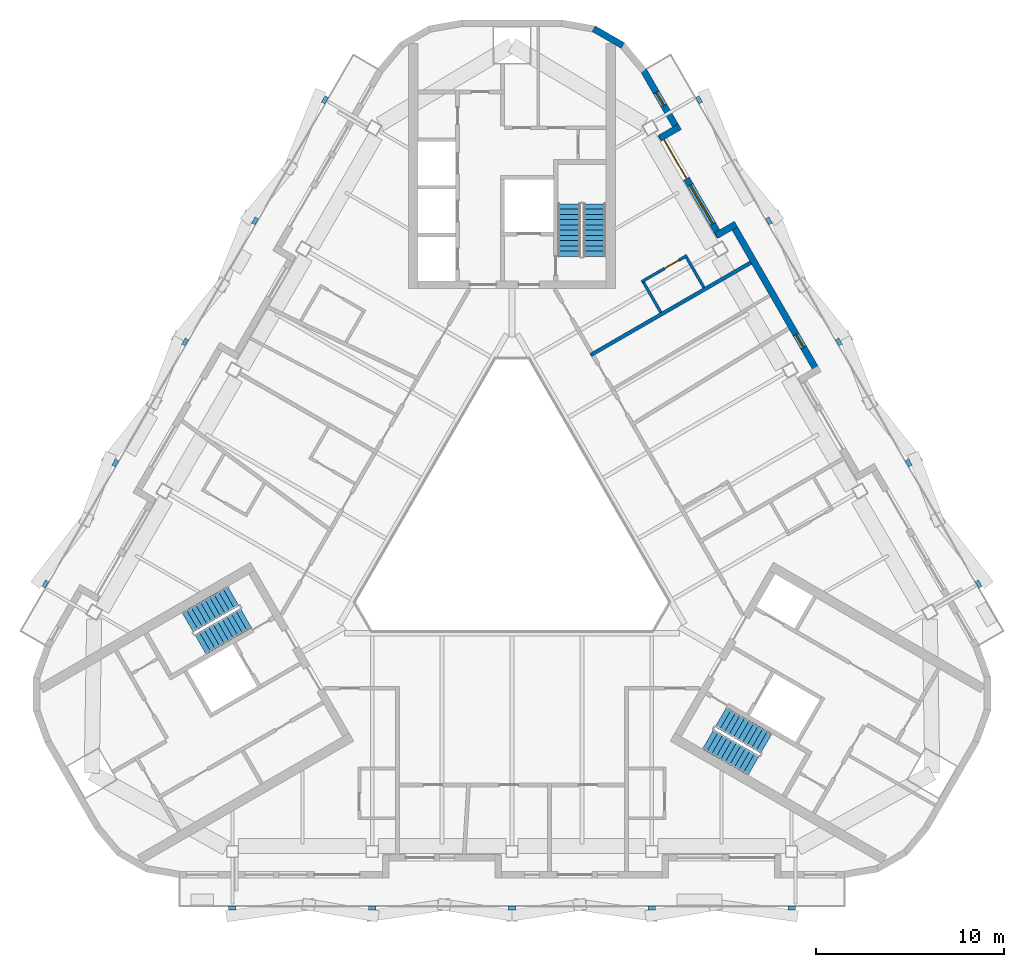
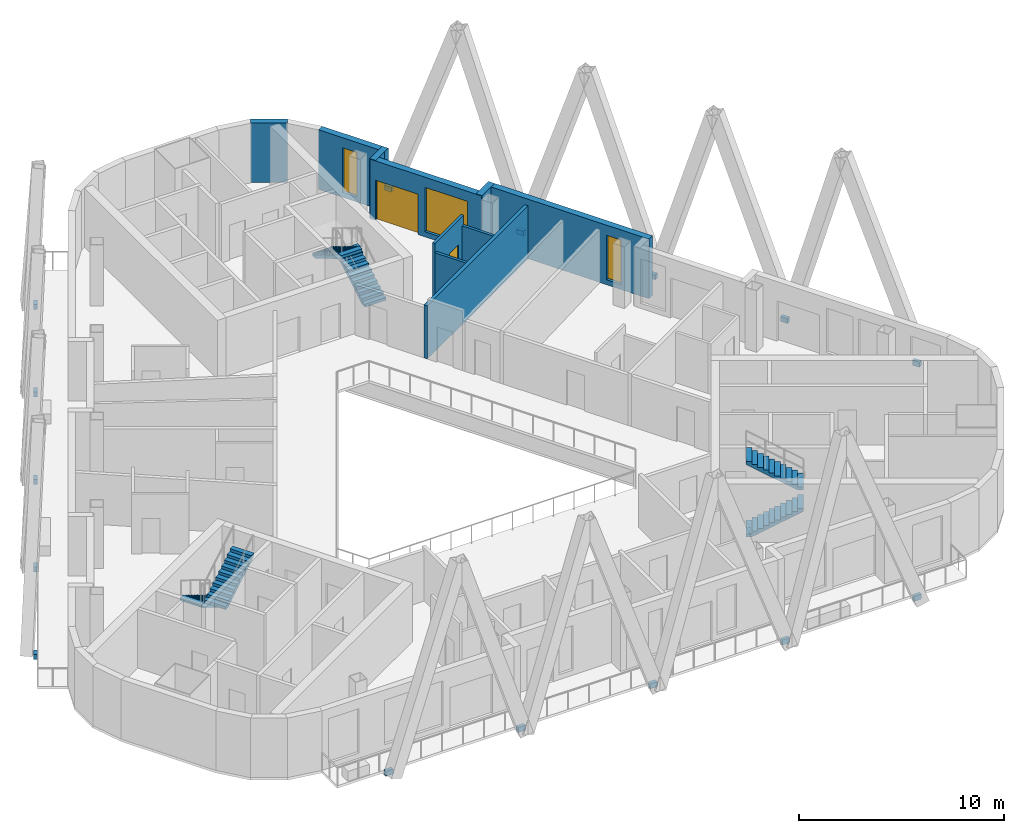
# One storey, part 8 of 14: 15 discrete accessories, 10 walls, 6 stair flights, 3 windows, 2 doors, 5 openings, 3 elements without a shape of their own.
"""IFC4 building model written with IfcOpenShell, lengths in metres."""

from ifc_helpers import new_model, si_unit, direction, frame, frame_2d, origin, origin_2d, place, context, subcontext, project, spatial, polyline, rectangle, outline, extrude, material, layer, layer_set, type_object, element, fill, aggregate, save


model = new_model("IFC4")

# Units and contexts
model_context = context("Model", 3, precision=1e-05, world=origin(), true_north=direction((0.0, 1.0)))
body_context = subcontext(model_context, "Body", "Model", "MODEL_VIEW")
ifc_project = project(units=[si_unit("LENGTHUNIT", "METRE"), si_unit("AREAUNIT", "SQUARE_METRE"), si_unit("VOLUMEUNIT", "CUBIC_METRE"), si_unit("PLANEANGLEUNIT", "RADIAN"), si_unit("MASSUNIT", "GRAM", prefix="KILO")], contexts=[model_context])

# Site, building, storey
site_placement = place(None, origin())
site = spatial("IfcSite", under=ifc_project, at=site_placement, CompositionType="ELEMENT")
building_placement = place(site_placement, origin())
building = spatial("IfcBuilding", under=site, at=building_placement, Name="Apuvela Tower Hotel", CompositionType="ELEMENT")
storey_placement = place(building_placement, frame((0.0, 0.0, 268.89990234375)))
storey = spatial("IfcBuildingStorey", under=building, at=storey_placement, Name="L66", CompositionType="ELEMENT", Elevation=268.89990234375)

# Wall, opening, window
ifc_material_1 = material(Name="Concrete C40/50, dark pigmented precast panel", Category="concrete")
ifc_layer_1 = layer(ifc_material_1, 0.35009765625)
ifc_layer_set_1 = layer_set([ifc_layer_1], Name="ENV-WALL-350")
wall_type_1 = type_object("IfcWallType", Name="ENV-WALL-350", PredefinedType="SOLIDWALL", material=ifc_layer_set_1)
wall_1_placement = place(storey_placement, frame((16.31640625, 8.381103515625, 0.0), z_axis=(0.0, 0.0, 1.0), x_axis=(-0.500005190411, 0.866022407078, 0.0)))
wall_1 = element("IfcWall", 1, at=wall_1_placement, inside=storey, type_object=wall_type_1, Name="External wall L66-37", PredefinedType="SOLIDWALL", context=body_context, shape_type="SweptSolid", body=[
    extrude(rectangle(XDim=9.24365234375, YDim=0.35009765625, at=frame_2d((4.621826171875, 0.0))), origin(), (0.0, 0.0, 1.0), 3.550048828125),
])
opening_1_placement = place(wall_1_placement, frame((1.5751953125, 0.0, 0.300048828125)))
opening_1 = element("IfcOpeningElement", 2, at=opening_1_placement, cuts=wall_1, Name="Opening WN08", PredefinedType="OPENING", context=body_context, shape_type="SweptSolid", body=[
    extrude(rectangle(XDim=0.800048828125, YDim=2.64990234375, at=frame_2d((0.39990234375, 1.324951171875))), frame((0.0, 0.18505859375, 0.0), z_axis=(0.0, -1.0, 0.0), x_axis=(1.0, 0.0, 0.0)), (0.0, 0.0, 1.0), 0.3701171875),
])
ifc_material_2 = material(Name="Glass, dark tinted laminated insulated glazing unit", Category="glass")
window_type_1 = type_object("IfcWindowType", Name="ENV-WIN-800x2650", PartitioningType="SINGLE_PANEL", PredefinedType="WINDOW", material=ifc_material_2)
window_1_placement = place(opening_1_placement, origin())
window_1 = element("IfcWindow", 3, at=window_1_placement, inside=storey, type_object=window_type_1, Name="Window WN08", OverallHeight=2.64990234375, OverallWidth=0.800048828125, PartitioningType="SINGLE_PANEL", PredefinedType="WINDOW", context=body_context, shape_type="SweptSolid", body=[
    extrude(rectangle(XDim=0.800048828125, YDim=2.64990234375, at=frame_2d((0.39990234375, 1.324951171875))), frame((0.0, 0.030029296875, 0.0), z_axis=(0.0, -1.0, 0.0), x_axis=(1.0, 0.0, 0.0)), (0.0, 0.0, 1.0), 0.06005859375),
])
fill(opening_1, window_1)

# Wall
wall_2_placement = place(storey_placement, frame((11.93359375, 16.322265625, 0.0), z_axis=(0.0, 0.0, 1.0), x_axis=(-0.866005645448, -0.500034220881, 0.0)))
element("IfcWall", 4, at=wall_2_placement, inside=storey, type_object=wall_type_1, Name="External wall L66-38", PredefinedType="SOLIDWALL", context=body_context, shape_type="SweptSolid", body=[
    extrude(rectangle(XDim=1.22021484375, YDim=0.35009765625, at=frame_2d((0.610107421875, 0.0))), origin(), (0.0, 0.0, 1.0), 3.550048828125),
])

# Wall, openings, door, window
wall_3_placement = place(storey_placement, frame((11.074951171875, 15.6591796875, 0.0), z_axis=(0.0, 0.0, 1.0), x_axis=(-0.499983676521, 0.866034827944, 0.0)))
wall_3 = element("IfcWall", 5, at=wall_3_placement, inside=storey, type_object=wall_type_1, Name="External wall L66-39", PredefinedType="SOLIDWALL", context=body_context, shape_type="SweptSolid", body=[
    extrude(rectangle(XDim=6.283447265625, YDim=0.35009765625, at=frame_2d((3.1416015625, 0.0))), origin(), (0.0, 0.0, 1.0), 3.550048828125),
])
opening_2_placement = place(wall_3_placement, frame((3.5634765625, 0.0, 0.0)))
opening_2 = element("IfcOpeningElement", 6, at=opening_2_placement, cuts=wall_3, Name="Opening BD24", PredefinedType="OPENING", context=body_context, shape_type="SweptSolid", body=[
    extrude(rectangle(XDim=2.39990234375, YDim=2.39990234375, at=frame_2d((1.199951171875, 1.199951171875))), frame((0.0, 0.18505859375, 0.0), z_axis=(0.0, -1.0, 0.0), x_axis=(1.0, 0.0, 0.0)), (0.0, 0.0, 1.0), 0.3701171875),
])
opening_3_placement = place(wall_3_placement, frame((0.77001953125, 0.0, 0.300048828125)))
opening_3 = element("IfcOpeningElement", 7, at=opening_3_placement, cuts=wall_3, Name="Opening WN24", PredefinedType="OPENING", context=body_context, shape_type="SweptSolid", body=[
    extrude(rectangle(XDim=2.39990234375, YDim=2.64990234375, at=frame_2d((1.199951171875, 1.324951171875))), frame((0.0, 0.18505859375, 0.0), z_axis=(0.0, -1.0, 0.0), x_axis=(1.0, 0.0, 0.0)), (0.0, 0.0, 1.0), 0.3701171875),
])
ifc_material_3 = material(Name="Aluminium 6063-T6, dark bronze anodised frame with dark tinted laminated glass", Category="aluminium")
door_type_1 = type_object("IfcDoorType", Name="ENV-DOOR-BALCONY-2400x2400", OperationType="SLIDING_TO_LEFT", PredefinedType="DOOR", material=ifc_material_3)
door_1_placement = place(opening_2_placement, frame((2.39990234375, 0.0, 0.0), z_axis=(0.0, 0.0, 1.0), x_axis=(-1.0, 0.0, 0.0)))
door_1 = element("IfcDoor", 8, at=door_1_placement, inside=storey, type_object=door_type_1, Name="Balcony door BD24", OperationType="SLIDING_TO_LEFT", OverallHeight=2.39990234375, OverallWidth=2.39990234375, PredefinedType="DOOR", context=body_context, shape_type="SweptSolid", body=[
    extrude(rectangle(XDim=2.39990234375, YDim=2.39990234375, at=frame_2d((1.199951171875, 1.199951171875))), frame((0.0, 0.02490234375, 0.0), z_axis=(0.0, -1.0, 0.0), x_axis=(1.0, 0.0, 0.0)), (0.0, 0.0, 1.0), 0.050048828125),
])
fill(opening_2, door_1)
window_type_2 = type_object("IfcWindowType", Name="ENV-WIN-2400x2650", PartitioningType="SINGLE_PANEL", PredefinedType="WINDOW", material=ifc_material_2)
window_2_placement = place(opening_3_placement, origin())
window_2 = element("IfcWindow", 9, at=window_2_placement, inside=storey, type_object=window_type_2, Name="Window WN24", OverallHeight=2.64990234375, OverallWidth=2.39990234375, PartitioningType="SINGLE_PANEL", PredefinedType="WINDOW", context=body_context, shape_type="SweptSolid", body=[
    extrude(rectangle(XDim=2.39990234375, YDim=2.64990234375, at=frame_2d((1.199951171875, 1.324951171875))), frame((0.0, 0.030029296875, 0.0), z_axis=(0.0, -1.0, 0.0), x_axis=(1.0, 0.0, 0.0)), (0.0, 0.0, 1.0), 0.06005859375),
])
fill(opening_3, window_2)

# Wall
wall_4_placement = place(storey_placement, frame((7.880126953125, 20.902587890625, 0.0), z_axis=(0.0, 0.0, 1.0), x_axis=(0.866005645448, 0.500034220881, 0.0)))
element("IfcWall", 10, at=wall_4_placement, inside=storey, type_object=wall_type_1, Name="External wall L66-40", PredefinedType="SOLIDWALL", context=body_context, shape_type="SweptSolid", body=[
    extrude(rectangle(XDim=1.22021484375, YDim=0.35009765625, at=frame_2d((0.610107421875, 0.0))), origin(), (0.0, 0.0, 1.0), 3.550048828125),
])

# Wall, opening, window
wall_5_placement = place(storey_placement, frame((8.872802734375, 21.273681640625, 0.0), z_axis=(0.0, 0.0, 1.0), x_axis=(-0.50001992892, 0.866013897511, 0.0)))
wall_5 = element("IfcWall", 11, at=wall_5_placement, inside=storey, type_object=wall_type_1, Name="External wall L66-41", PredefinedType="SOLIDWALL", context=body_context, shape_type="SweptSolid", body=[
    extrude(rectangle(XDim=3.741455078125, YDim=0.35009765625, at=frame_2d((1.87060546875, 0.0))), origin(), (0.0, 0.0, 1.0), 3.550048828125),
])
opening_4_placement = place(wall_5_placement, frame((1.5751953125, 0.0, 0.300048828125)))
opening_4 = element("IfcOpeningElement", 12, at=opening_4_placement, cuts=wall_5, Name="Opening WN08", PredefinedType="OPENING", context=body_context, shape_type="SweptSolid", body=[
    extrude(rectangle(XDim=0.800048828125, YDim=2.64990234375, at=frame_2d((0.39990234375, 1.324951171875))), frame((0.0, 0.18505859375, 0.0), z_axis=(0.0, -1.0, 0.0), x_axis=(1.0, 0.0, 0.0)), (0.0, 0.0, 1.0), 0.3701171875),
])
window_3_placement = place(opening_4_placement, origin())
window_3 = element("IfcWindow", 13, at=window_3_placement, inside=storey, type_object=window_type_1, Name="Window WN08", OverallHeight=2.64990234375, OverallWidth=0.800048828125, PartitioningType="SINGLE_PANEL", PredefinedType="WINDOW", context=body_context, shape_type="SweptSolid", body=[
    extrude(rectangle(XDim=0.800048828125, YDim=2.64990234375, at=frame_2d((0.39990234375, 1.324951171875))), frame((0.0, 0.030029296875, 0.0), z_axis=(0.0, -1.0, 0.0), x_axis=(1.0, 0.0, 0.0)), (0.0, 0.0, 1.0), 0.06005859375),
])
fill(opening_4, window_3)

# Walls
wall_6_placement = place(storey_placement, frame((5.9091796875, 25.82861328125, 0.0), z_axis=(0.0, 0.0, 1.0), x_axis=(-0.866013897511, 0.50001992892, 0.0)))
element("IfcWall", 14, at=wall_6_placement, inside=storey, type_object=wall_type_1, Name="External wall L66-43", PredefinedType="SOLIDWALL", context=body_context, shape_type="SweptSolid", body=[
    extrude(rectangle(XDim=1.7998046875, YDim=0.35009765625, at=frame_2d((0.89990234375, 0.0))), origin(), (0.0, 0.0, 1.0), 3.550048828125),
])
ifc_material_4 = material(Name="Gypsum board partition on twin steel stud", Category="steel")
ifc_layer_2 = layer(ifc_material_4, 0.199951171875)
ifc_layer_set_2 = layer_set([ifc_layer_2], Name="GST-PW1")
wall_type_2 = type_object("IfcWallType", Name="GST-PW1", PredefinedType="PARTITIONING", material=ifc_layer_set_2)
wall_7_placement = place(storey_placement, frame((12.714599609375, 14.26904296875, 0.0), z_axis=(0.0, 0.0, 1.0), x_axis=(-0.866024954444, -0.500000778279, 0.0)))
element("IfcWall", 15, at=wall_7_placement, inside=storey, type_object=wall_type_2, Name="L66 partition 07", PredefinedType="PARTITIONING", context=body_context, shape_type="SweptSolid", body=[
    extrude(rectangle(XDim=9.845703125, YDim=0.199951171875, at=frame_2d((4.9228515625, 0.0))), origin(), (0.0, 0.0, 1.0), 3.16015625),
])

# Wall, opening, door
ifc_material_5 = material(Name="Moisture-resistant gypsum board wet wall on steel stud", Category="steel")
ifc_layer_3 = layer(ifc_material_5, 0.14990234375)
ifc_layer_set_3 = layer_set([ifc_layer_3], Name="GST-PW3")
wall_type_3 = type_object("IfcWallType", Name="GST-PW3", PredefinedType="PARTITIONING", material=ifc_layer_set_3)
wall_8_placement = place(storey_placement, frame((9.32421875, 14.64990234375, 0.0), z_axis=(0.0, 0.0, 1.0), x_axis=(-0.866034573852, -0.49998411664, 0.0)))
wall_8 = element("IfcWall", 16, at=wall_8_placement, inside=storey, type_object=wall_type_3, Name="L66 partition 33", PredefinedType="PARTITIONING", context=body_context, shape_type="SweptSolid", body=[
    extrude(rectangle(XDim=2.7998046875, YDim=0.14990234375, at=frame_2d((1.39990234375, 0.0))), origin(), (0.0, 0.0, 1.0), 3.550048828125),
])
opening_5_placement = place(wall_8_placement, frame((0.5, 0.0, 0.0)))
opening_5 = element("IfcOpeningElement", 17, at=opening_5_placement, cuts=wall_8, Name="Opening GD26-14", PredefinedType="OPENING", context=body_context, shape_type="SweptSolid", body=[
    extrude(rectangle(XDim=0.89990234375, YDim=2.10009765625, at=frame_2d((0.449951171875, 1.050048828125))), frame((0.0, 0.0849609375, 0.0), z_axis=(0.0, -1.0, 0.0), x_axis=(1.0, 0.0, 0.0)), (0.0, 0.0, 1.0), 0.169921875),
])
ifc_material_6 = material(Name="Timber door leaf in steel frame", Category="steel")
door_type_2 = type_object("IfcDoorType", Name="GST-D2", OperationType="NOTDEFINED", PredefinedType="DOOR", material=ifc_material_6)
door_2_placement = place(opening_5_placement, origin())
door_2 = element("IfcDoor", 18, at=door_2_placement, inside=storey, type_object=door_type_2, Name="Door L66-14", OperationType="SINGLE_SWING_LEFT", OverallHeight=2.10009765625, OverallWidth=0.89990234375, PredefinedType="DOOR", context=body_context, shape_type="SweptSolid", body=[
    extrude(rectangle(XDim=0.89990234375, YDim=2.10009765625, at=frame_2d((0.449951171875, 1.050048828125))), frame((0.0, 0.02490234375, 0.0), z_axis=(0.0, -1.0, 0.0), x_axis=(1.0, 0.0, 0.0)), (0.0, 0.0, 1.0), 0.050048828125),
])
fill(opening_5, door_2)

# Walls
for number, where, z_axis, x_axis, name in (
    (19, (10.2216796875, 12.9453125, 0.0), (0.0, 0.0, 1.0), (-0.49994333299, 0.866058118026, 0.0), "L66 partition 34"),
    (20, (7.927001953125, 11.620361328125, 0.0), (0.0, 0.0, 1.0), (-0.500042316284, 0.866000971088, 0.0), "L66 partition 35"),
):
    element("IfcWall", number, at=place(storey_placement, frame(where, z_axis=z_axis, x_axis=x_axis)), inside=storey, type_object=wall_type_3, Name=name, PredefinedType="PARTITIONING", context=body_context, shape_type="SweptSolid", body=[
        extrude(rectangle(XDim=1.849853515625, YDim=0.14990234375, at=frame_2d((0.9248046875, 0.0))), origin(), (0.0, 0.0, 1.0), 3.0),
    ])

# Stair, stair flights
ifc_material_7 = material(Name="Concrete C50/60", Category="concrete")
stair_type = type_object("IfcStairType", Name="COR-STAIR-22R", PredefinedType="HALF_TURN_STAIR", material=ifc_material_7)
stair_1_placement = place(storey_placement, origin())
stair_1 = element("IfcStair", 21, at=stair_1_placement, inside=storey, type_object=stair_type, Name="L66 Exit stair ST1", PredefinedType="HALF_TURN_STAIR")
stair_flight_type = type_object("IfcStairFlightType", Name="COR-FLIGHT-11R", PredefinedType="STRAIGHT", material=ifc_material_7)
stair_flight_1_placement = place(storey_placement, frame((4.39990234375, 14.60009765625, 0.0), z_axis=(0.0, 0.0, 1.0), x_axis=(0.0, 1.0, 0.0)))
stair_flight_1 = element("IfcStairFlight", 22, at=stair_flight_1_placement, type_object=stair_flight_type, Name="ST1 flight 1", NumberOfRisers=11, NumberOfTreads=10, PredefinedType="STRAIGHT", RiserHeight=0.168181818, TreadLength=0.28, context=body_context, shape_type="SweptSolid", body=[
    extrude(outline(polyline([(0.0, 0.0), (0.0, 0.168212890625), (0.280029296875, 0.168212890625), (0.280029296875, 0.33642578125), (0.56005859375, 0.33642578125), (0.56005859375, 0.504638671875), (0.840087890625, 0.504638671875), (0.840087890625, 0.672607421875), (1.1201171875, 0.672607421875), (1.1201171875, 0.8408203125), (1.39990234375, 0.8408203125), (1.39990234375, 1.009033203125), (1.679931640625, 1.009033203125), (1.679931640625, 1.17724609375), (1.9599609375, 1.17724609375), (1.9599609375, 1.345458984375), (2.239990234375, 1.345458984375), (2.239990234375, 1.513671875), (2.52001953125, 1.513671875), (2.52001953125, 1.681884765625), (2.800048828125, 1.681884765625), (2.800048828125, 1.85009765625), (2.800048828125, 1.5068359375), (0.291015625, 0.0), (0.0, 0.0)])), frame((0.0, 0.60009765625, 0.0), z_axis=(0.0, -1.0, 0.0), x_axis=(1.0, 0.0, 0.0)), (0.0, 0.0, 1.0), 1.199951171875),
])
stair_flight_2_placement = place(storey_placement, frame((3.050048828125, 17.39990234375, 1.85009765625), z_axis=(0.0, 0.0, 1.0), x_axis=(0.0, -1.0, 0.0)))
stair_flight_2 = element("IfcStairFlight", 23, at=stair_flight_2_placement, type_object=stair_flight_type, Name="ST1 flight 2", NumberOfRisers=11, NumberOfTreads=10, PredefinedType="STRAIGHT", RiserHeight=0.168181818, TreadLength=0.28, context=body_context, shape_type="SweptSolid", body=[
    extrude(outline(polyline([(0.0, 0.0), (0.0, 0.168212890625), (0.280029296875, 0.168212890625), (0.280029296875, 0.33642578125), (0.56005859375, 0.33642578125), (0.56005859375, 0.504638671875), (0.840087890625, 0.504638671875), (0.840087890625, 0.672607421875), (1.1201171875, 0.672607421875), (1.1201171875, 0.8408203125), (1.39990234375, 0.8408203125), (1.39990234375, 1.009033203125), (1.679931640625, 1.009033203125), (1.679931640625, 1.17724609375), (1.9599609375, 1.17724609375), (1.9599609375, 1.345458984375), (2.239990234375, 1.345458984375), (2.239990234375, 1.513671875), (2.52001953125, 1.513671875), (2.52001953125, 1.681884765625), (2.800048828125, 1.681884765625), (2.800048828125, 1.85009765625), (2.800048828125, 1.5068359375), (0.291015625, 0.0), (0.0, 0.0)])), frame((0.0, 0.60009765625, 0.0), z_axis=(0.0, -1.0, 0.0), x_axis=(1.0, 0.0, 0.0)), (0.0, 0.0, 1.0), 1.199951171875),
])
aggregate(stair_1, [stair_flight_1, stair_flight_2])

stair_2_placement = place(storey_placement, origin())
stair_2 = element("IfcStair", 24, at=stair_2_placement, inside=storey, type_object=stair_type, Name="L66 Exit stair ST2", PredefinedType="HALF_TURN_STAIR")
stair_flight_3_placement = place(storey_placement, frame((-14.843994140625, -3.489501953125, 0.0), z_axis=(0.0, 0.0, 1.0), x_axis=(-0.866025403784, -0.5, 0.0)))
stair_flight_3 = element("IfcStairFlight", 25, at=stair_flight_3_placement, type_object=stair_flight_type, Name="ST2 flight 1", NumberOfRisers=11, NumberOfTreads=10, PredefinedType="STRAIGHT", RiserHeight=0.168181818, TreadLength=0.28, context=body_context, shape_type="SweptSolid", body=[
    extrude(outline(polyline([(0.0, 0.0), (0.0, 0.168212890625), (0.280029296875, 0.168212890625), (0.280029296875, 0.33642578125), (0.56005859375, 0.33642578125), (0.56005859375, 0.504638671875), (0.840087890625, 0.504638671875), (0.840087890625, 0.672607421875), (1.1201171875, 0.672607421875), (1.1201171875, 0.8408203125), (1.39990234375, 0.8408203125), (1.39990234375, 1.009033203125), (1.679931640625, 1.009033203125), (1.679931640625, 1.17724609375), (1.9599609375, 1.17724609375), (1.9599609375, 1.345458984375), (2.239990234375, 1.345458984375), (2.239990234375, 1.513671875), (2.52001953125, 1.513671875), (2.52001953125, 1.681884765625), (2.800048828125, 1.681884765625), (2.800048828125, 1.85009765625), (2.800048828125, 1.5068359375), (0.291015625, 0.0), (0.0, 0.0)])), frame((0.0, 0.60009765625, 0.0), z_axis=(0.0, -1.0, 0.0), x_axis=(1.0, 0.0, 0.0)), (0.0, 0.0, 1.0), 1.199951171875),
])
stair_flight_4_placement = place(storey_placement, frame((-16.59375, -6.05859375, 1.85009765625), z_axis=(0.0, 0.0, 1.0), x_axis=(0.866025403784, 0.5, 0.0)))
stair_flight_4 = element("IfcStairFlight", 26, at=stair_flight_4_placement, type_object=stair_flight_type, Name="ST2 flight 2", NumberOfRisers=11, NumberOfTreads=10, PredefinedType="STRAIGHT", RiserHeight=0.168181818, TreadLength=0.28, context=body_context, shape_type="SweptSolid", body=[
    extrude(outline(polyline([(0.0, 0.0), (0.0, 0.168212890625), (0.280029296875, 0.168212890625), (0.280029296875, 0.33642578125), (0.56005859375, 0.33642578125), (0.56005859375, 0.504638671875), (0.840087890625, 0.504638671875), (0.840087890625, 0.672607421875), (1.1201171875, 0.672607421875), (1.1201171875, 0.8408203125), (1.39990234375, 0.8408203125), (1.39990234375, 1.009033203125), (1.679931640625, 1.009033203125), (1.679931640625, 1.17724609375), (1.9599609375, 1.17724609375), (1.9599609375, 1.345458984375), (2.239990234375, 1.345458984375), (2.239990234375, 1.513671875), (2.52001953125, 1.513671875), (2.52001953125, 1.681884765625), (2.800048828125, 1.681884765625), (2.800048828125, 1.85009765625), (2.800048828125, 1.5068359375), (0.291015625, 0.0), (0.0, 0.0)])), frame((0.0, 0.60009765625, 0.0), z_axis=(0.0, -1.0, 0.0), x_axis=(1.0, 0.0, 0.0)), (0.0, 0.0, 1.0), 1.199951171875),
])
aggregate(stair_2, [stair_flight_3, stair_flight_4])

stair_3_placement = place(storey_placement, origin())
stair_3 = element("IfcStair", 27, at=stair_3_placement, inside=storey, type_object=stair_type, Name="L66 Exit stair ST3", PredefinedType="HALF_TURN_STAIR")
stair_flight_5_placement = place(storey_placement, frame((10.444091796875, -11.110595703125, 0.0), z_axis=(0.0, 0.0, 1.0), x_axis=(0.866025403784, -0.5, 0.0)))
stair_flight_5 = element("IfcStairFlight", 28, at=stair_flight_5_placement, type_object=stair_flight_type, Name="ST3 flight 1", NumberOfRisers=11, NumberOfTreads=10, PredefinedType="STRAIGHT", RiserHeight=0.168181818, TreadLength=0.28, context=body_context, shape_type="SweptSolid", body=[
    extrude(outline(polyline([(0.0, 0.0), (0.0, 0.168212890625), (0.280029296875, 0.168212890625), (0.280029296875, 0.33642578125), (0.56005859375, 0.33642578125), (0.56005859375, 0.504638671875), (0.840087890625, 0.504638671875), (0.840087890625, 0.672607421875), (1.1201171875, 0.672607421875), (1.1201171875, 0.8408203125), (1.39990234375, 0.8408203125), (1.39990234375, 1.009033203125), (1.679931640625, 1.009033203125), (1.679931640625, 1.17724609375), (1.9599609375, 1.17724609375), (1.9599609375, 1.345458984375), (2.239990234375, 1.345458984375), (2.239990234375, 1.513671875), (2.52001953125, 1.513671875), (2.52001953125, 1.681884765625), (2.800048828125, 1.681884765625), (2.800048828125, 1.85009765625), (2.800048828125, 1.5068359375), (0.291015625, 0.0), (0.0, 0.0)])), frame((0.0, 0.60009765625, 0.0), z_axis=(0.0, -1.0, 0.0), x_axis=(1.0, 0.0, 0.0)), (0.0, 0.0, 1.0), 1.199951171875),
])
stair_flight_6_placement = place(storey_placement, frame((13.5439453125, -11.34130859375, 1.85009765625), z_axis=(0.0, 0.0, 1.0), x_axis=(-0.866025403784, 0.5, 0.0)))
stair_flight_6 = element("IfcStairFlight", 29, at=stair_flight_6_placement, type_object=stair_flight_type, Name="ST3 flight 2", NumberOfRisers=11, NumberOfTreads=10, PredefinedType="STRAIGHT", RiserHeight=0.168181818, TreadLength=0.28, context=body_context, shape_type="SweptSolid", body=[
    extrude(outline(polyline([(0.0, 0.0), (0.0, 0.168212890625), (0.280029296875, 0.168212890625), (0.280029296875, 0.33642578125), (0.56005859375, 0.33642578125), (0.56005859375, 0.504638671875), (0.840087890625, 0.504638671875), (0.840087890625, 0.672607421875), (1.1201171875, 0.672607421875), (1.1201171875, 0.8408203125), (1.39990234375, 0.8408203125), (1.39990234375, 1.009033203125), (1.679931640625, 1.009033203125), (1.679931640625, 1.17724609375), (1.9599609375, 1.17724609375), (1.9599609375, 1.345458984375), (2.239990234375, 1.345458984375), (2.239990234375, 1.513671875), (2.52001953125, 1.513671875), (2.52001953125, 1.681884765625), (2.800048828125, 1.681884765625), (2.800048828125, 1.85009765625), (2.800048828125, 1.5068359375), (0.291015625, 0.0), (0.0, 0.0)])), frame((0.0, 0.60009765625, 0.0), z_axis=(0.0, -1.0, 0.0), x_axis=(1.0, 0.0, 0.0)), (0.0, 0.0, 1.0), 1.199951171875),
])
aggregate(stair_3, [stair_flight_5, stair_flight_6])

# Discrete accessories
ifc_material_8 = material(Name="Steel S355, black paint system", Category="steel")
discrete_accessory_type = type_object("IfcDiscreteAccessoryType", Name="ENV-FIN-BRACKET", PredefinedType="BRACKET", material=ifc_material_8)
for number, where, z_axis, x_axis, name in (
    (30, (24.846923828125, -2.8447265625, -0.25), (0.0, 0.0, 1.0), (-0.5, 0.866025403784, 0.0), "Fin bracket NE119"),
    (31, (21.125244140625, 3.6015625, -0.25), (0.0, 0.0, 1.0), (-0.5, 0.866025403784, 0.0), "Fin bracket NE120"),
    (32, (17.403564453125, 10.0478515625, -0.25), (0.0, 0.0, 1.0), (-0.5, 0.866025403784, 0.0), "Fin bracket NE121"),
    (33, (13.681640625, 16.494140625, -0.25), (0.0, 0.0, 1.0), (-0.5, 0.866025403784, 0.0), "Fin bracket NE122"),
    (34, (9.9599609375, 22.9404296875, -0.25), (0.0, 0.0, 1.0), (-0.5, 0.866025403784, 0.0), "Fin bracket NE123"),
    (35, (-9.9599609375, 22.9404296875, -0.25), (0.0, 0.0, 1.0), (-0.5, -0.866025403784, 0.0), "Fin bracket NW268"),
    (36, (-13.681640625, 16.494140625, -0.25), (0.0, 0.0, 1.0), (-0.5, -0.866025403784, 0.0), "Fin bracket NW269"),
    (37, (-17.403564453125, 10.0478515625, -0.25), (0.0, 0.0, 1.0), (-0.5, -0.866025403784, 0.0), "Fin bracket NW270"),
    (38, (-21.125244140625, 3.6015625, -0.25), (0.0, 0.0, 1.0), (-0.5, -0.866025403784, 0.0), "Fin bracket NW271"),
    (39, (-24.846923828125, -2.8447265625, -0.25), (0.0, 0.0, 1.0), (-0.5, -0.866025403784, 0.0), "Fin bracket NW272"),
    (40, (-14.88720703125, -20.095703125, -0.25), (0.0, 0.0, 1.0), (1.0, 0.0, 0.0), "Fin bracket S418"),
    (41, (-7.443603515625, -20.095703125, -0.25), (0.0, 0.0, 1.0), (1.0, 0.0, 0.0), "Fin bracket S419"),
    (42, (0.0, -20.095703125, -0.25), (0.0, 0.0, 1.0), (1.0, 0.0, 0.0), "Fin bracket S420"),
    (43, (7.443603515625, -20.095703125, -0.25), (0.0, 0.0, 1.0), (1.0, 0.0, 0.0), "Fin bracket S421"),
    (44, (14.88720703125, -20.095703125, -0.25), (0.0, 0.0, 1.0), (1.0, 0.0, 0.0), "Fin bracket S422"),
):
    element("IfcDiscreteAccessory", number, at=place(storey_placement, frame(where, z_axis=z_axis, x_axis=x_axis)), inside=storey, type_object=discrete_accessory_type, Name=name, PredefinedType="BRACKET", context=body_context, shape_type="SweptSolid", body=[
        extrude(rectangle(XDim=0.39990234375, YDim=0.199951171875, at=origin_2d()), origin(), (0.0, 0.0, 1.0), 0.300048828125),
    ])

save(model, "model.ifc")
